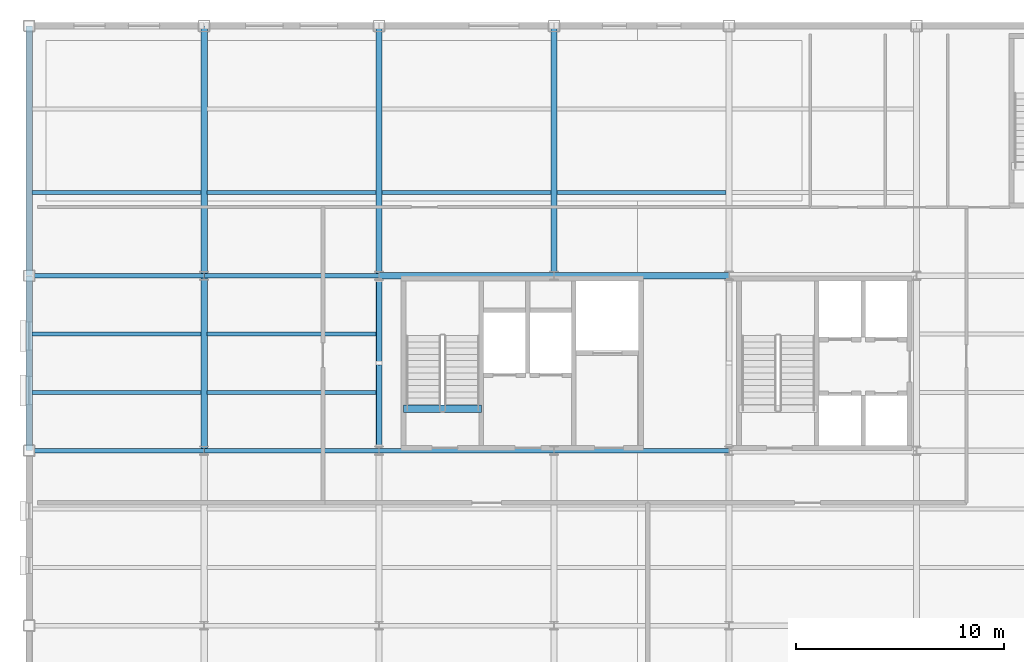
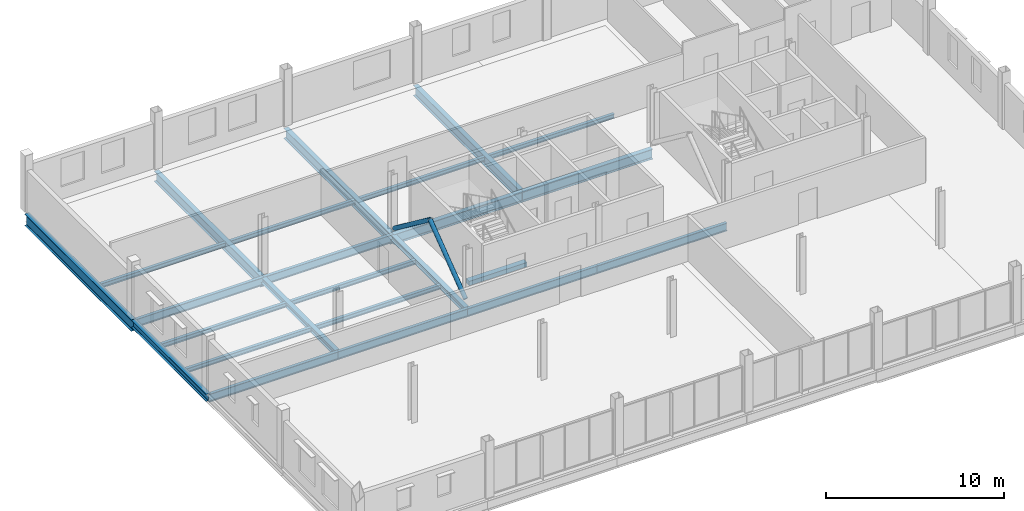
# One storey, part 6 of 17: 24 beams, 2 members.
"""IFC4 building model written with IfcOpenShell, lengths in metres."""

from ifc_helpers import new_model, si_unit, direction, frame, origin, origin_2d, place, context, subcontext, project, spatial, rectangle, hollow_circle, i_section, extrude, material, material_profile, profile_set, type_object, element, save


model = new_model("IFC4")

# Units and contexts
model_context = context("Model", 3, precision=1e-05, world=origin(), true_north=direction((0.0, 1.0)))
body_context = subcontext(model_context, "Body", "Model", "MODEL_VIEW")
ifc_project = project(units=[si_unit("LENGTHUNIT", "METRE"), si_unit("AREAUNIT", "SQUARE_METRE"), si_unit("VOLUMEUNIT", "CUBIC_METRE"), si_unit("PLANEANGLEUNIT", "RADIAN"), si_unit("MASSUNIT", "GRAM", prefix="KILO")], contexts=[model_context])

# Site, building, storey
site_placement = place(None, origin())
site = spatial("IfcSite", under=ifc_project, at=site_placement, CompositionType="ELEMENT")
building_placement = place(site_placement, origin())
building = spatial("IfcBuilding", under=site, at=building_placement, Name="Yukiwa Park Conservatory and Herbarium", CompositionType="ELEMENT")
storey_placement = place(building_placement, frame((0.0, 0.0, 17.10009765625)))
storey = spatial("IfcBuildingStorey", under=building, at=storey_placement, Name="L04", CompositionType="ELEMENT", Elevation=17.10009765625)

# Beams
ifc_material_1 = material(Name="Steel Q355D", Category="steel")
ifc_material_profile_1 = material_profile(ifc_material_1, i_section(OverallWidth=0.300048828125, OverallDepth=0.389892578125, WebThickness=0.010009765625, FlangeThickness=0.01611328125, FilletRadius=0.02001953125, at=origin_2d()), Name="HM 390x300x10x16")
ifc_profile_set_1 = profile_set([ifc_material_profile_1], Name="Steel Q355D")
beam_type_1 = type_object("IfcBeamType", Name="BM-GRD-HM390", PredefinedType="BEAM", material=ifc_profile_set_1)
for number, where, z_axis, x_axis, name in (
    (1, (124.800048828125, 94.805908203125, -0.47509765625), (0.0, 1.0, 0.0), (-1.0, 0.0, 0.0), "L04 grid girder Y-37"),
    (2, (133.199951171875, 94.805908203125, -0.47509765625), (0.0, 1.0, 0.0), (-1.0, 0.0, 0.0), "L04 grid girder Y-41"),
):
    element("IfcBeam", number, at=place(storey_placement, frame(where, z_axis=z_axis, x_axis=x_axis)), inside=storey, type_object=beam_type_1, Name=name, PredefinedType="BEAM", context=body_context, shape_type="SweptSolid", body=[
        extrude(i_section(OverallWidth=0.300048828125, OverallDepth=0.389892578125, WebThickness=0.010009765625, FlangeThickness=0.01611328125, FilletRadius=0.02001953125, at=origin_2d()), origin(), (0.0, 0.0, 1.0), 8.38818359375),
    ])
ifc_material_2 = material(Name="Steel Q355D", Category="steel")
ifc_material_profile_2 = material_profile(ifc_material_2, i_section(OverallWidth=0.199951171875, OverallDepth=0.550048828125, WebThickness=0.010009765625, FlangeThickness=0.01611328125, FilletRadius=0.02001953125, at=origin_2d()), Name="HN 550x200x10x16")
ifc_profile_set_2 = profile_set([ifc_material_profile_2], Name="Steel Q355D")
beam_type_2 = type_object("IfcBeamType", Name="BM-GRD-HN550", PredefinedType="BEAM", material=ifc_profile_set_2)
beam_1_placement = place(storey_placement, frame((116.406005859375, 94.800048828125, -0.55517578125), z_axis=(1.0, 0.0, 0.0), x_axis=(0.0, 1.0, 0.0)))
element("IfcBeam", 3, at=beam_1_placement, inside=storey, type_object=beam_type_2, Name="L04 grid beam X-13", PredefinedType="BEAM", context=body_context, shape_type="SweptSolid", body=[
    extrude(i_section(OverallWidth=0.199951171875, OverallDepth=0.550048828125, WebThickness=0.010009765625, FlangeThickness=0.01611328125, FilletRadius=0.02001953125, at=origin_2d()), origin(), (0.0, 0.0, 1.0), 8.387939453125),
])
beam_2_placement = place(storey_placement, frame((124.805908203125, 94.800048828125, -0.55517578125), z_axis=(1.0, 0.0, 0.0), x_axis=(0.0, 1.0, 0.0)))
element("IfcBeam", 4, at=beam_2_placement, inside=storey, type_object=beam_type_2, Name="L04 grid beam X-14", PredefinedType="BEAM", context=body_context, shape_type="SweptSolid", body=[
    extrude(i_section(OverallWidth=0.199951171875, OverallDepth=0.550048828125, WebThickness=0.010009765625, FlangeThickness=0.01611328125, FilletRadius=0.02001953125, at=origin_2d()), origin(), (0.0, 0.0, 1.0), 8.38818359375),
])
for number, where, z_axis, x_axis, name in (
    (5, (133.2060546875, 94.800048828125, -0.55517578125), (1.0, 0.0, 0.0), (0.0, 1.0, 0.0), "L04 grid beam X-15"),
    (6, (141.60595703125, 94.800048828125, -0.55517578125), (1.0, 0.0, 0.0), (0.0, 1.0, 0.0), "L04 grid beam X-16"),
    (7, (116.406005859375, 103.199951171875, -0.55517578125), (1.0, 0.0, 0.0), (0.0, 1.0, 0.0), "L04 grid beam X-19"),
):
    element("IfcBeam", number, at=place(storey_placement, frame(where, z_axis=z_axis, x_axis=x_axis)), inside=storey, type_object=beam_type_2, Name=name, PredefinedType="BEAM", context=body_context, shape_type="SweptSolid", body=[
        extrude(i_section(OverallWidth=0.199951171875, OverallDepth=0.550048828125, WebThickness=0.010009765625, FlangeThickness=0.01611328125, FilletRadius=0.02001953125, at=origin_2d()), origin(), (0.0, 0.0, 1.0), 8.387939453125),
    ])
beam_3_placement = place(storey_placement, frame((124.805908203125, 103.199951171875, -0.55517578125), z_axis=(1.0, 0.0, 0.0), x_axis=(0.0, 1.0, 0.0)))
element("IfcBeam", 8, at=beam_3_placement, inside=storey, type_object=beam_type_2, Name="L04 grid beam X-20", PredefinedType="BEAM", context=body_context, shape_type="SweptSolid", body=[
    extrude(i_section(OverallWidth=0.199951171875, OverallDepth=0.550048828125, WebThickness=0.010009765625, FlangeThickness=0.01611328125, FilletRadius=0.02001953125, at=origin_2d()), origin(), (0.0, 0.0, 1.0), 8.38818359375),
])
ifc_material_3 = material(Name="Steel Q355D", Category="steel")
ifc_material_profile_3 = material_profile(ifc_material_3, i_section(OverallWidth=0.300048828125, OverallDepth=0.699951171875, WebThickness=0.012939453125, FlangeThickness=0.02392578125, FilletRadius=0.028076171875, at=origin_2d()), Name="HN 700x300x13x24")
ifc_profile_set_3 = profile_set([ifc_material_profile_3], Name="Steel Q355D")
beam_type_3 = type_object("IfcBeamType", Name="BM-GRD-HN700", PredefinedType="BEAM", material=ifc_profile_set_3)
for number, where, z_axis, x_axis, name in (
    (9, (124.800048828125, 103.2060546875, -0.630126953125), (0.0, 1.0, 0.0), (-1.0, 0.0, 0.0), "L04 grid girder Y-38"),
    (10, (133.199951171875, 103.2060546875, -0.630126953125), (0.0, 1.0, 0.0), (-1.0, 0.0, 0.0), "L04 grid girder Y-42"),
    (11, (141.60009765625, 103.2060546875, -0.630126953125), (0.0, 1.0, 0.0), (-1.0, 0.0, 0.0), "L04 grid girder Y-45"),
):
    element("IfcBeam", number, at=place(storey_placement, frame(where, z_axis=z_axis, x_axis=x_axis)), inside=storey, type_object=beam_type_3, Name=name, PredefinedType="BEAM", context=body_context, shape_type="SweptSolid", body=[
        extrude(i_section(OverallWidth=0.300048828125, OverallDepth=0.699951171875, WebThickness=0.012939453125, FlangeThickness=0.02392578125, FilletRadius=0.028076171875, at=origin_2d()), origin(), (0.0, 0.0, 1.0), 11.988037109375),
    ])
ifc_material_4 = material(Name="Steel Q355D", Category="steel")
ifc_material_profile_4 = material_profile(ifc_material_4, i_section(OverallWidth=0.199951171875, OverallDepth=0.300048828125, WebThickness=0.008056640625, FlangeThickness=0.011962890625, FilletRadius=0.01806640625, at=origin_2d()), Name="HM 300x200x8x12")
ifc_profile_set_4 = profile_set([ifc_material_profile_4], Name="Steel Q355D")
beam_type_4 = type_object("IfcBeamType", Name="BM-JST-HM300", PredefinedType="JOIST", material=ifc_profile_set_4)
for number, where, z_axis, x_axis, name in (
    (12, (116.5458984375, 97.60009765625, -0.43017578125), (1.0, 0.0, 0.0), (0.0, 1.0, 0.0), "L04 composite floor joist 5"),
    (13, (116.5458984375, 100.39990234375, -0.43017578125), (1.0, 0.0, 0.0), (0.0, 1.0, 0.0), "L04 composite floor joist 6"),
    (14, (116.5458984375, 107.199951171875, -0.43017578125), (1.0, 0.0, 0.0), (0.0, 1.0, 0.0), "L04 composite floor joist 7"),
):
    element("IfcBeam", number, at=place(storey_placement, frame(where, z_axis=z_axis, x_axis=x_axis)), inside=storey, type_object=beam_type_4, Name=name, PredefinedType="JOIST", context=body_context, shape_type="SweptSolid", body=[
        extrude(i_section(OverallWidth=0.199951171875, OverallDepth=0.300048828125, WebThickness=0.008056640625, FlangeThickness=0.011962890625, FilletRadius=0.01806640625, at=origin_2d()), origin(), (0.0, 0.0, 1.0), 8.108154296875),
    ])
for number, where, z_axis, x_axis, name in (
    (15, (124.946044921875, 97.60009765625, -0.43017578125), (1.0, 0.0, 0.0), (0.0, 1.0, 0.0), "L04 composite floor joist 13"),
    (16, (124.946044921875, 100.39990234375, -0.43017578125), (1.0, 0.0, 0.0), (0.0, 1.0, 0.0), "L04 composite floor joist 14"),
    (17, (124.946044921875, 107.199951171875, -0.43017578125), (1.0, 0.0, 0.0), (0.0, 1.0, 0.0), "L04 composite floor joist 15"),
):
    element("IfcBeam", number, at=place(storey_placement, frame(where, z_axis=z_axis, x_axis=x_axis)), inside=storey, type_object=beam_type_4, Name=name, PredefinedType="JOIST", context=body_context, shape_type="SweptSolid", body=[
        extrude(i_section(OverallWidth=0.199951171875, OverallDepth=0.300048828125, WebThickness=0.008056640625, FlangeThickness=0.011962890625, FilletRadius=0.01806640625, at=origin_2d()), origin(), (0.0, 0.0, 1.0), 8.10791015625),
    ])
beam_4_placement = place(storey_placement, frame((133.345947265625, 107.199951171875, -0.43017578125), z_axis=(1.0, 0.0, 0.0), x_axis=(0.0, 1.0, 0.0)))
element("IfcBeam", 18, at=beam_4_placement, inside=storey, type_object=beam_type_4, Name="L04 composite floor joist 21", PredefinedType="JOIST", context=body_context, shape_type="SweptSolid", body=[
    extrude(i_section(OverallWidth=0.199951171875, OverallDepth=0.300048828125, WebThickness=0.008056640625, FlangeThickness=0.011962890625, FilletRadius=0.01806640625, at=origin_2d()), origin(), (0.0, 0.0, 1.0), 8.108154296875),
])
beam_5_placement = place(storey_placement, frame((141.74609375, 107.199951171875, -0.43017578125), z_axis=(1.0, 0.0, 0.0), x_axis=(0.0, 1.0, 0.0)))
element("IfcBeam", 19, at=beam_5_placement, inside=storey, type_object=beam_type_4, Name="L04 composite floor joist 27", PredefinedType="JOIST", context=body_context, shape_type="SweptSolid", body=[
    extrude(i_section(OverallWidth=0.199951171875, OverallDepth=0.300048828125, WebThickness=0.008056640625, FlangeThickness=0.011962890625, FilletRadius=0.01806640625, at=origin_2d()), origin(), (0.0, 0.0, 1.0), 8.10791015625),
])
ifc_material_5 = material(Name="Steel Q355D", Category="steel")
ifc_material_profile_5 = material_profile(ifc_material_5, i_section(OverallWidth=0.300048828125, OverallDepth=0.5, WebThickness=0.010986328125, FlangeThickness=0.01806640625, FilletRadius=0.02392578125, at=origin_2d()), Name="HM 500x300x11x18")
ifc_profile_set_5 = profile_set([ifc_material_profile_5], Name="Steel Q355D")
beam_type_5 = type_object("IfcBeamType", Name="BM-SPN-HN500", PredefinedType="SPANDREL", material=ifc_profile_set_5)
beam_6_placement = place(storey_placement, frame((116.39990234375, 94.805908203125, -0.530029296875), z_axis=(0.0, 1.0, 0.0), x_axis=(-1.0, 0.0, 0.0)))
element("IfcBeam", 20, at=beam_6_placement, inside=storey, type_object=beam_type_5, Name="L04 spandrel girder Y-33", PredefinedType="SPANDREL", context=body_context, shape_type="SweptSolid", body=[
    extrude(i_section(OverallWidth=0.300048828125, OverallDepth=0.5, WebThickness=0.010986328125, FlangeThickness=0.01806640625, FilletRadius=0.02392578125, at=origin_2d()), origin(), (0.0, 0.0, 1.0), 8.38818359375),
])
ifc_material_6 = material(Name="Steel Q355D", Category="steel")
ifc_material_profile_6 = material_profile(ifc_material_6, i_section(OverallWidth=0.300048828125, OverallDepth=0.69189453125, WebThickness=0.012939453125, FlangeThickness=0.02001953125, FilletRadius=0.028076171875, at=origin_2d()), Name="HN 692x300x13x20")
ifc_profile_set_6 = profile_set([ifc_material_profile_6], Name="Steel Q355D")
beam_type_6 = type_object("IfcBeamType", Name="BM-SPN-HN550", PredefinedType="SPANDREL", material=ifc_profile_set_6)
for number, where, z_axis, x_axis, name in (
    (21, (133.2060546875, 103.199951171875, -0.6259765625), (1.0, 0.0, 0.0), (0.0, 1.0, 0.0), "L04 spandrel beam X-21"),
    (22, (141.60595703125, 103.199951171875, -0.6259765625), (1.0, 0.0, 0.0), (0.0, 1.0, 0.0), "L04 spandrel beam X-22"),
):
    element("IfcBeam", number, at=place(storey_placement, frame(where, z_axis=z_axis, x_axis=x_axis)), inside=storey, type_object=beam_type_6, Name=name, PredefinedType="SPANDREL", context=body_context, shape_type="SweptSolid", body=[
        extrude(i_section(OverallWidth=0.300048828125, OverallDepth=0.69189453125, WebThickness=0.012939453125, FlangeThickness=0.02001953125, FilletRadius=0.028076171875, at=origin_2d()), origin(), (0.0, 0.0, 1.0), 8.387939453125),
    ])
ifc_material_7 = material(Name="Steel Q355D", Category="steel")
ifc_material_profile_7 = material_profile(ifc_material_7, i_section(OverallWidth=0.300048828125, OverallDepth=0.7919921875, WebThickness=0.013916015625, FlangeThickness=0.02197265625, FilletRadius=0.028076171875, at=origin_2d()), Name="HN 792x300x14x22")
ifc_profile_set_7 = profile_set([ifc_material_profile_7], Name="Steel Q355D")
beam_type_7 = type_object("IfcBeamType", Name="BM-SPN-HN600", PredefinedType="SPANDREL", material=ifc_profile_set_7)
beam_7_placement = place(storey_placement, frame((116.39990234375, 103.2060546875, -0.676025390625), z_axis=(0.0, 1.0, 0.0), x_axis=(-1.0, 0.0, 0.0)))
element("IfcBeam", 23, at=beam_7_placement, inside=storey, type_object=beam_type_7, Name="L04 spandrel girder Y-34", PredefinedType="SPANDREL", context=body_context, shape_type="SweptSolid", body=[
    extrude(i_section(OverallWidth=0.300048828125, OverallDepth=0.7919921875, WebThickness=0.013916015625, FlangeThickness=0.02197265625, FilletRadius=0.028076171875, at=origin_2d()), origin(), (0.0, 0.0, 1.0), 11.988037109375),
])
ifc_material_8 = material(Name="Concrete C40", Category="concrete")
ifc_material_profile_8 = material_profile(ifc_material_8, rectangle(XDim=0.35009765625, YDim=0.300048828125, at=origin_2d()), Name="RC 350x300")
ifc_profile_set_8 = profile_set([ifc_material_profile_8], Name="Concrete C40")
beam_type_8 = type_object("IfcBeamType", Name="BM-STAIR-TRIM", PredefinedType="BEAM", material=ifc_profile_set_8)
beam_8_placement = place(storey_placement, frame((134.3701171875, 96.81005859375, -0.150146484375), z_axis=(1.0, 0.0, 0.0), x_axis=(0.0, 1.0, 0.0)))
element("IfcBeam", 24, at=beam_8_placement, inside=storey, type_object=beam_type_8, Name="Stair ST-T1 L04 landing trimmer beam", PredefinedType="BEAM", context=body_context, shape_type="SweptSolid", body=[
    extrude(rectangle(XDim=0.35009765625, YDim=0.300048828125, at=origin_2d()), origin(), (0.0, 0.0, 1.0), 3.75),
])

# Members
ifc_material_9 = material(Name="Steel Q355D", Category="steel")
ifc_material_profile_9 = material_profile(ifc_material_9, hollow_circle(Radius=0.136474609375, WallThickness=0.010009765625, at=origin_2d()), Name="CHS 273x10")
ifc_profile_set_9 = profile_set([ifc_material_profile_9], Name="Steel Q355D")
member_type = type_object("IfcMemberType", Name="MB-BR-CHS273", PredefinedType="BRACE", material=ifc_profile_set_9)
for number, where, z_axis, x_axis, name in (
    (25, (133.199951171875, 95.00537109375, 0.204833984375), (0.0, 0.797689076374, 0.603068932572), (-1.0, 0.0, 0.0), "L04 concentric chevron brace 29"),
    (26, (133.199951171875, 102.99462890625, 0.204833984375), (0.0, -0.797689076374, 0.603068932572), (1.0, 0.0, 0.0), "L04 concentric chevron brace 30"),
):
    element("IfcMember", number, at=place(storey_placement, frame(where, z_axis=z_axis, x_axis=x_axis)), inside=storey, type_object=member_type, Name=name, PredefinedType="BRACE", context=body_context, shape_type="SweptSolid", body=[
        extrude(hollow_circle(Radius=0.136474609375, WallThickness=0.010009765625, at=origin_2d()), origin(), (0.0, 0.0, 1.0), 5.0078125),
    ])

save(model, "model.ifc")
